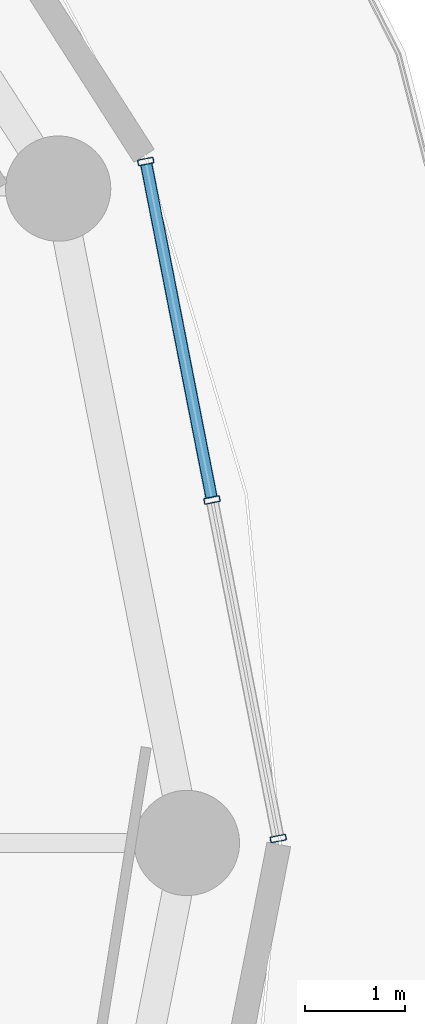
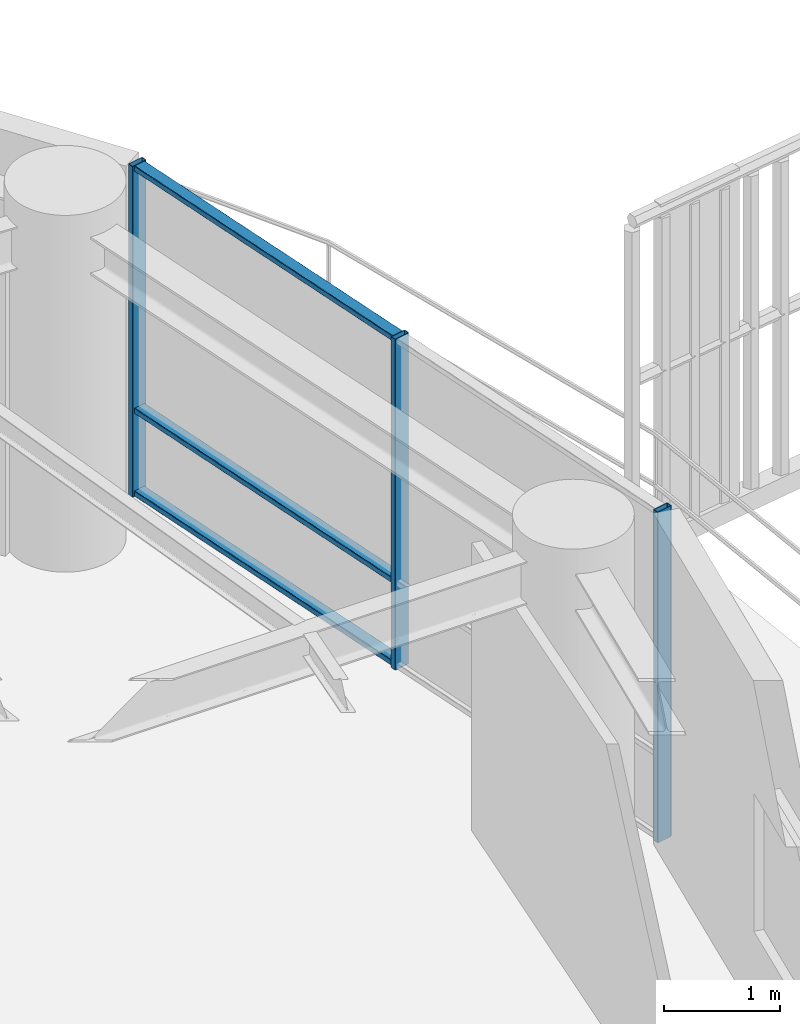
# One storey, part 15 of 30: 6 members, 1 element without a shape of its own.
"""IFC4 building model written with IfcOpenShell, lengths in metres."""

from ifc_helpers import new_model, si_unit, direction, frame, origin, origin_2d, place, context, subcontext, project, spatial, hollow_rectangle, extrude, material, layer, layer_set, material_profile, profile_set, type_object, element, aggregate, save


model = new_model("IFC4")

# Units and contexts
model_context = context("Model", 3, precision=1e-05, world=origin(), true_north=direction((0.0, 1.0)))
body_context = subcontext(model_context, "Body", "Model", "MODEL_VIEW")
ifc_project = project(units=[si_unit("LENGTHUNIT", "METRE"), si_unit("AREAUNIT", "SQUARE_METRE"), si_unit("VOLUMEUNIT", "CUBIC_METRE"), si_unit("PLANEANGLEUNIT", "RADIAN"), si_unit("MASSUNIT", "GRAM", prefix="KILO")], contexts=[model_context])

# Site, building, storey
site_placement = place(None, origin())
site = spatial("IfcSite", under=ifc_project, at=site_placement, CompositionType="ELEMENT")
building_placement = place(site_placement, origin())
building = spatial("IfcBuilding", under=site, at=building_placement, Name="Kelanora Arch Commons", CompositionType="ELEMENT")
storey_placement = place(building_placement, frame((0.0, 0.0, 208.199951171875)))
storey = spatial("IfcBuildingStorey", under=building, at=storey_placement, Name="L53", CompositionType="ELEMENT", Elevation=208.199951171875)

# Curtain wall, members
ifc_material_1 = material(Name="Terracotta ceramic-fritted low-E glass and aluminium", Category="masonry")
ifc_layer = layer(ifc_material_1, 0.175048828125)
ifc_layer_set = layer_set([ifc_layer], Name="Terracotta ceramic-fritted low-E glass and aluminium")
curtain_wall_type = type_object("IfcCurtainWallType", Name="CW-SYS-02", PredefinedType="NOTDEFINED", material=ifc_layer_set)
curtain_wall_placement = place(storey_placement, origin())
curtain_wall = element("IfcCurtainWall", 1, at=curtain_wall_placement, inside=storey, type_object=curtain_wall_type, Name="Unitised Curtain Wall L53-B00", PredefinedType="NOTDEFINED")
ifc_material_2 = material(Name="Powder-coated aluminium terracotta", Category="masonry")
ifc_material_profile_1 = material_profile(ifc_material_2, hollow_rectangle(XDim=0.159912109375, YDim=0.06005859375, WallThickness=0.0048828125, InnerFilletRadius=0.0048828125, OuterFilletRadius=0.010009765625, at=origin_2d()), Name="CWM160x60")
ifc_profile_set_1 = profile_set([ifc_material_profile_1], Name="Powder-coated aluminium terracotta")
member_type_1 = type_object("IfcMemberType", Name="CWM-STD", PredefinedType="MULLION", material=ifc_profile_set_1)
member_1_placement = place(storey_placement, frame((96.19140625, 58.044189453125, 0.0), z_axis=(0.0, 0.0, 1.0), x_axis=(-0.981381438349, -0.192068926335, 0.0)))
member_1 = element("IfcMember", 2, at=member_1_placement, type_object=member_type_1, Name="CW-02 mullion 1", PredefinedType="MULLION", context=body_context, shape_type="SweptSolid", body=[
    extrude(hollow_rectangle(XDim=0.159912109375, YDim=0.06005859375, WallThickness=0.0048828125, InnerFilletRadius=0.0048828125, OuterFilletRadius=0.010009765625, at=origin_2d()), origin(), (0.0, 0.0, 1.0), 3.47509765625),
])
member_2_placement = place(storey_placement, frame((95.530517578125, 61.420166015625, 0.0), z_axis=(0.0, 0.0, 1.0), x_axis=(-0.981381438349, -0.192068926335, 0.0)))
member_2 = element("IfcMember", 3, at=member_2_placement, type_object=member_type_1, Name="CW-02 mullion 2", PredefinedType="MULLION", context=body_context, shape_type="SweptSolid", body=[
    extrude(hollow_rectangle(XDim=0.159912109375, YDim=0.06005859375, WallThickness=0.0048828125, InnerFilletRadius=0.0048828125, OuterFilletRadius=0.010009765625, at=origin_2d()), origin(), (0.0, 0.0, 1.0), 3.47509765625),
])
member_3_placement = place(storey_placement, frame((94.869873046875, 64.796142578125, 0.0), z_axis=(0.0, 0.0, 1.0), x_axis=(-0.981381438349, -0.192068926335, 0.0)))
member_3 = element("IfcMember", 4, at=member_3_placement, type_object=member_type_1, Name="CW-02 mullion 3", PredefinedType="MULLION", context=body_context, shape_type="SweptSolid", body=[
    extrude(hollow_rectangle(XDim=0.159912109375, YDim=0.06005859375, WallThickness=0.0048828125, InnerFilletRadius=0.0048828125, OuterFilletRadius=0.010009765625, at=origin_2d()), origin(), (0.0, 0.0, 1.0), 3.47509765625),
])
ifc_material_profile_2 = material_profile(ifc_material_2, hollow_rectangle(XDim=0.1201171875, YDim=0.06005859375, WallThickness=0.0048828125, InnerFilletRadius=0.0048828125, OuterFilletRadius=0.010009765625, at=origin_2d()), Name="CWT120x60")
ifc_profile_set_2 = profile_set([ifc_material_profile_2], Name="Powder-coated aluminium terracotta")
member_type_2 = type_object("IfcMemberType", Name="CWT-STD", PredefinedType="USERDEFINED", material=ifc_profile_set_2)
member_4_placement = place(storey_placement, frame((95.52490234375, 61.44970703125, 0.030029296875), z_axis=(-0.192058488005, 0.981383481207, 0.0), x_axis=(-0.981383481207, -0.192058488005, 0.0)))
member_4 = element("IfcMember", 5, at=member_4_placement, type_object=member_type_2, Name="CW-02 transom 2.1", ObjectType="TRANSOM", PredefinedType="USERDEFINED", context=body_context, shape_type="SweptSolid", body=[
    extrude(hollow_rectangle(XDim=0.1201171875, YDim=0.06005859375, WallThickness=0.0048828125, InnerFilletRadius=0.0048828125, OuterFilletRadius=0.010009765625, at=origin_2d()), origin(), (0.0, 0.0, 1.0), 3.380126953125),
])
member_5_placement = place(storey_placement, frame((95.52490234375, 61.44970703125, 0.900146484375), z_axis=(-0.192058488005, 0.981383481207, 0.0), x_axis=(-0.981383481207, -0.192058488005, 0.0)))
member_5 = element("IfcMember", 6, at=member_5_placement, type_object=member_type_2, Name="CW-02 transom 2.2", ObjectType="TRANSOM", PredefinedType="USERDEFINED", context=body_context, shape_type="SweptSolid", body=[
    extrude(hollow_rectangle(XDim=0.1201171875, YDim=0.06005859375, WallThickness=0.0048828125, InnerFilletRadius=0.0048828125, OuterFilletRadius=0.010009765625, at=origin_2d()), origin(), (0.0, 0.0, 1.0), 3.380126953125),
])
member_6_placement = place(storey_placement, frame((95.52490234375, 61.44970703125, 3.445068359375), z_axis=(-0.192058488005, 0.981383481207, 0.0), x_axis=(-0.981383481207, -0.192058488005, 0.0)))
member_6 = element("IfcMember", 7, at=member_6_placement, type_object=member_type_2, Name="CW-02 transom 2.3", ObjectType="TRANSOM", PredefinedType="USERDEFINED", context=body_context, shape_type="SweptSolid", body=[
    extrude(hollow_rectangle(XDim=0.1201171875, YDim=0.06005859375, WallThickness=0.0048828125, InnerFilletRadius=0.0048828125, OuterFilletRadius=0.010009765625, at=origin_2d()), origin(), (0.0, 0.0, 1.0), 3.380126953125),
])
aggregate(curtain_wall, [member_1, member_2, member_3, member_4, member_5, member_6])

save(model, "model.ifc")
